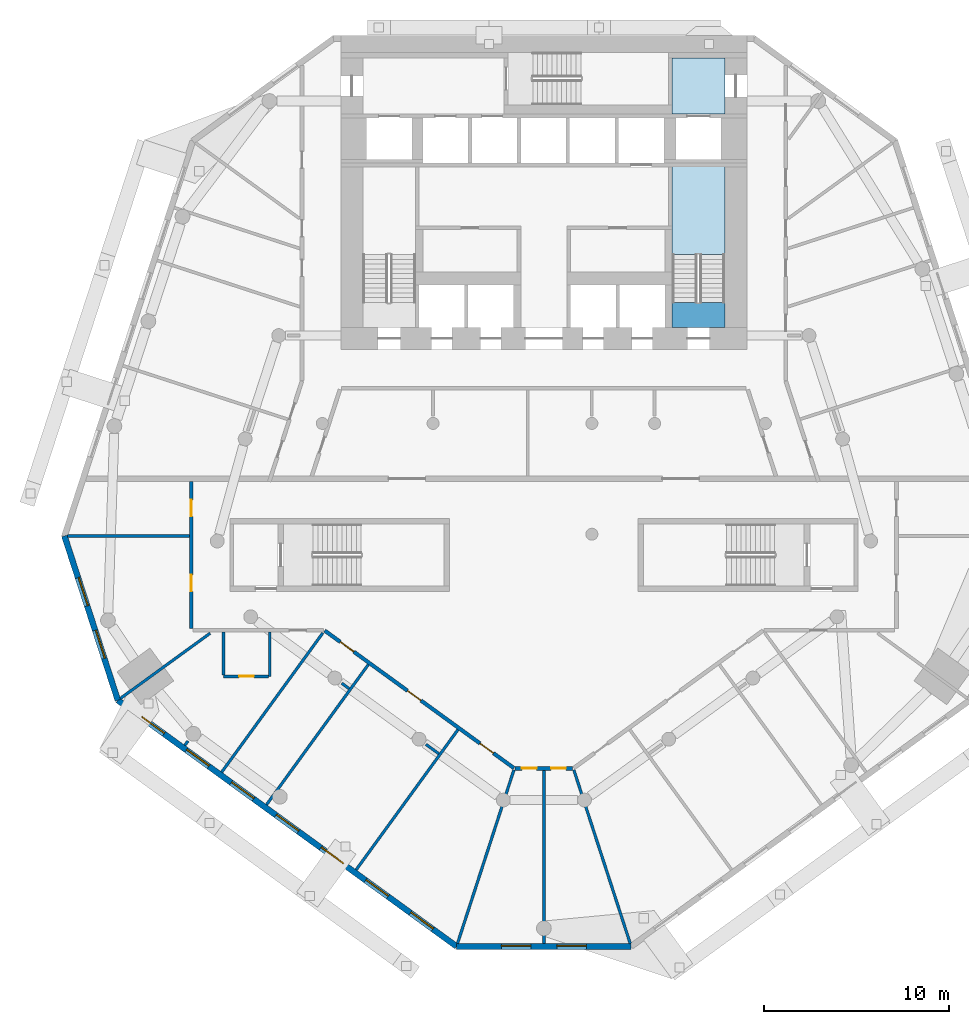
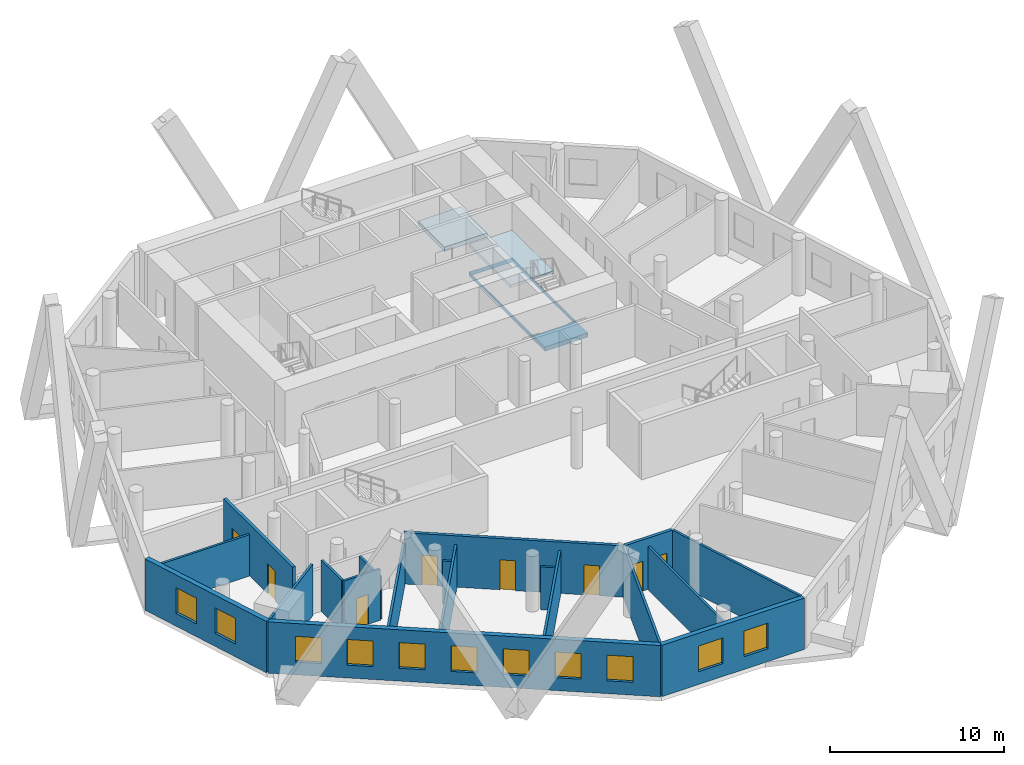
# One storey, part 3 of 10: 20 walls, 11 windows, 8 doors, 3 slabs, 19 openings, 1 element without a shape of its own.
"""IFC4 building model written with IfcOpenShell, lengths in metres."""

from ifc_helpers import new_model, si_unit, direction, frame, frame_2d, origin, place, context, subcontext, project, spatial, polyline, rectangle, outline, extrude, material, layer, layer_set, type_object, element, fill, aggregate, save


model = new_model("IFC4")

# Units and contexts
model_context = context("Model", 3, precision=1e-05, world=origin(), true_north=direction((0.0, 1.0)))
body_context = subcontext(model_context, "Body", "Model", "MODEL_VIEW")
ifc_project = project(units=[si_unit("LENGTHUNIT", "METRE"), si_unit("AREAUNIT", "SQUARE_METRE"), si_unit("VOLUMEUNIT", "CUBIC_METRE"), si_unit("PLANEANGLEUNIT", "RADIAN"), si_unit("MASSUNIT", "GRAM", prefix="KILO")], contexts=[model_context])

# Site, building, storey
site_placement = place(None, origin())
site = spatial("IfcSite", under=ifc_project, at=site_placement, CompositionType="ELEMENT")
building_placement = place(site_placement, origin())
building = spatial("IfcBuilding", under=site, at=building_placement, Name="White Candle Pilgrim Tower", CompositionType="ELEMENT")
storey_placement = place(building_placement, frame((0.0, 0.0, 66.300048828125)))
storey = spatial("IfcBuildingStorey", under=building, at=storey_placement, Name="L13", CompositionType="ELEMENT", Elevation=66.300048828125)

# Slabs
ifc_material_1 = material(Name="Concrete C40/50", Category="concrete")
ifc_layer_1 = layer(ifc_material_1, 0.300048828125)
ifc_layer_set_1 = layer_set([ifc_layer_1], Name="Core floor slab 300 mm Concrete C40/50")
slab_type_1 = type_object("IfcSlabType", Name="Core floor slab 300 mm Concrete C40/50", PredefinedType="FLOOR", material=ifc_layer_set_1)
slab_1_placement = place(storey_placement, frame((0.0, 0.0, -0.300048828125)))
element("IfcSlab", 1, at=slab_1_placement, inside=storey, type_object=slab_type_1, Name="CF-L13-06", PredefinedType="FLOOR", context=body_context, shape_type="SweptSolid", body=[
    extrude(outline(polyline([(79.800048828125, 86.800048828125), (79.800048828125, 83.75), (76.949951171875, 83.75), (76.949951171875, 84.25), (76.949951171875, 86.800048828125), (79.800048828125, 86.800048828125)])), origin(), (0.0, 0.0, 1.0), 0.300048828125),
])
slab_2_placement = place(storey_placement, frame((0.0, 0.0, -0.300048828125)))
element("IfcSlab", 2, at=slab_2_placement, inside=storey, type_object=slab_type_1, Name="CF-L13-07", PredefinedType="FLOOR", context=body_context, shape_type="SweptSolid", body=[
    extrude(outline(polyline([(79.800048828125, 72.199951171875), (76.949951171875, 72.199951171875), (76.949951171875, 74.5), (76.949951171875, 75.199951171875), (76.949951171875, 77.5), (76.949951171875, 77.699951171875), (76.949951171875, 80.89990234375), (79.800048828125, 80.89990234375), (79.800048828125, 72.199951171875)]), holes=[polyline([(76.951904296875, 73.552001953125), (79.798095703125, 73.552001953125), (79.798095703125, 80.89794921875), (76.951904296875, 80.89794921875), (76.951904296875, 73.552001953125)])]), origin(), (0.0, 0.0, 1.0), 0.300048828125),
])

# Stair, slab
stair_type = type_object("IfcStairType", Name="Exit stair 2 flight width 1350 mm", PredefinedType="HALF_TURN_STAIR", material=ifc_material_1)
stair_placement = place(storey_placement, origin())
stair = element("IfcStair", 3, at=stair_placement, inside=storey, type_object=stair_type, Name="L13 stair 2", PredefinedType="NOTDEFINED")
ifc_layer_2 = layer(ifc_material_1, 0.199951171875)
ifc_layer_set_2 = layer_set([ifc_layer_2], Name="Stair landing Concrete C40/50")
slab_type_2 = type_object("IfcSlabType", Name="Stair landing Concrete C40/50", PredefinedType="LANDING", material=ifc_layer_set_2)
slab_3_placement = place(storey_placement, frame((0.0, 0.0, 1.75)))
slab_3 = element("IfcSlab", 4, at=slab_3_placement, type_object=slab_type_2, Name="ST2 landing 1", PredefinedType="LANDING", context=body_context, shape_type="SweptSolid", body=[
    extrude(outline(polyline([(79.802001953125, 76.14794921875), (76.947998046875, 76.14794921875), (76.947998046875, 80.902099609375), (79.802001953125, 80.902099609375), (79.802001953125, 76.14794921875)])), origin(), (0.0, 0.0, 1.0), 0.199951171875),
])
aggregate(stair, [slab_3])

# Wall, openings, doors
ifc_material_2 = material(Name="Gypsum board on steel studs", Category="steel")
ifc_layer_3 = layer(ifc_material_2, 0.199951171875)
ifc_layer_set_3 = layer_set([ifc_layer_3], Name="Corridor wall 200 mm EI 45")
wall_type_1 = type_object("IfcWallType", Name="Corridor wall 200 mm EI 45", PredefinedType="PARTITIONING", material=ifc_layer_set_3)
wall_1_placement = place(storey_placement, frame((71.563720703125, 48.31640625, 0.0), z_axis=(0.0, 0.0, 1.0), x_axis=(-1.0, 0.0, 0.0)))
wall_1 = element("IfcWall", 5, at=wall_1_placement, inside=storey, type_object=wall_type_1, Name="WL-L13-P009", PredefinedType="PARTITIONING", context=body_context, shape_type="SweptSolid", body=[
    extrude(rectangle(XDim=3.12744140625, YDim=0.199951171875, at=frame_2d((1.563720703125, 0.0))), origin(), (0.0, 0.0, 1.0), 3.599853515625),
])
opening_1_placement = place(wall_1_placement, frame((1.9619140625, 0.0, 0.0)))
opening_1 = element("IfcOpeningElement", 6, at=opening_1_placement, cuts=wall_1, Name="Opening T04-107", PredefinedType="OPENING", context=body_context, shape_type="SweptSolid", body=[
    extrude(rectangle(XDim=0.800048828125, YDim=2.10009765625, at=frame_2d((0.39990234375, 1.050048828125))), frame((0.0, 0.10986328125, 0.0), z_axis=(0.0, -1.0, 0.0), x_axis=(1.0, 0.0, 0.0)), (0.0, 0.0, 1.0), 0.219970703125),
])
opening_2_placement = place(wall_1_placement, frame((0.365478515625, 0.0, 0.0)))
opening_2 = element("IfcOpeningElement", 7, at=opening_2_placement, cuts=wall_1, Name="Opening T04-108", PredefinedType="OPENING", context=body_context, shape_type="SweptSolid", body=[
    extrude(rectangle(XDim=0.800048828125, YDim=2.10009765625, at=frame_2d((0.39990234375, 1.050048828125))), frame((0.0, 0.10986328125, 0.0), z_axis=(0.0, -1.0, 0.0), x_axis=(1.0, 0.0, 0.0)), (0.0, 0.0, 1.0), 0.219970703125),
])
ifc_material_3 = material(Name="Steel door leaf", Category="steel")
door_type_1 = type_object("IfcDoorType", Name="Fire door 800 x 2100 EI 30", OperationType="NOTDEFINED", PredefinedType="DOOR", material=ifc_material_3)
door_1_placement = place(opening_1_placement, origin())
door_1 = element("IfcDoor", 8, at=door_1_placement, inside=storey, type_object=door_type_1, Name="Door T04-107", OperationType="SINGLE_SWING_LEFT", OverallHeight=2.10009765625, OverallWidth=0.800048828125, PredefinedType="DOOR", context=body_context, shape_type="SweptSolid", body=[
    extrude(rectangle(XDim=0.800048828125, YDim=2.10009765625, at=frame_2d((0.39990234375, 1.050048828125))), frame((0.0, 0.02490234375, 0.0), z_axis=(0.0, -1.0, 0.0), x_axis=(1.0, 0.0, 0.0)), (0.0, 0.0, 1.0), 0.050048828125),
])
fill(opening_1, door_1)
door_2_placement = place(opening_2_placement, origin())
door_2 = element("IfcDoor", 9, at=door_2_placement, inside=storey, type_object=door_type_1, Name="Door T04-108", OperationType="SINGLE_SWING_RIGHT", OverallHeight=2.10009765625, OverallWidth=0.800048828125, PredefinedType="DOOR", context=body_context, shape_type="SweptSolid", body=[
    extrude(rectangle(XDim=0.800048828125, YDim=2.10009765625, at=frame_2d((0.39990234375, 1.050048828125))), frame((0.0, 0.02490234375, 0.0), z_axis=(0.0, -1.0, 0.0), x_axis=(1.0, 0.0, 0.0)), (0.0, 0.0, 1.0), 0.050048828125),
])
fill(opening_2, door_2)

wall_2_placement = place(storey_placement, frame((68.37744140625, 48.33544921875, 0.0), z_axis=(0.0, 0.0, 1.0), x_axis=(-0.80902019439, 0.587780847825, 0.0)))
wall_2 = element("IfcWall", 10, at=wall_2_placement, inside=storey, type_object=wall_type_1, Name="WL-L13-P010", PredefinedType="PARTITIONING", context=body_context, shape_type="SweptSolid", body=[
    extrude(rectangle(XDim=12.667236328125, YDim=0.199951171875, at=frame_2d((6.33349609375, 0.0))), origin(), (0.0, 0.0, 1.0), 3.599853515625),
])
opening_3_placement = place(wall_2_placement, frame((10.723388671875, 0.0, 0.0)))
opening_3 = element("IfcOpeningElement", 11, at=opening_3_placement, cuts=wall_2, Name="Opening T04-104", PredefinedType="OPENING", context=body_context, shape_type="SweptSolid", body=[
    extrude(rectangle(XDim=0.89990234375, YDim=2.10009765625, at=frame_2d((0.449951171875, 1.050048828125))), frame((0.0, 0.10986328125, 0.0), z_axis=(0.0, -1.0, 0.0), x_axis=(1.0, 0.0, 0.0)), (0.0, 0.0, 1.0), 0.219970703125),
])
opening_4_placement = place(wall_2_placement, frame((6.223388671875, 0.0, 0.0)))
opening_4 = element("IfcOpeningElement", 12, at=opening_4_placement, cuts=wall_2, Name="Opening T04-105", PredefinedType="OPENING", context=body_context, shape_type="SweptSolid", body=[
    extrude(rectangle(XDim=0.89990234375, YDim=2.10009765625, at=frame_2d((0.449951171875, 1.050048828125))), frame((0.0, 0.10986328125, 0.0), z_axis=(0.0, -1.0, 0.0), x_axis=(1.0, 0.0, 0.0)), (0.0, 0.0, 1.0), 0.219970703125),
])
opening_5_placement = place(wall_2_placement, frame((1.37060546875, 0.0, 0.0)))
opening_5 = element("IfcOpeningElement", 13, at=opening_5_placement, cuts=wall_2, Name="Opening T04-106", PredefinedType="OPENING", context=body_context, shape_type="SweptSolid", body=[
    extrude(rectangle(XDim=0.89990234375, YDim=2.10009765625, at=frame_2d((0.449951171875, 1.050048828125))), frame((0.0, 0.10986328125, 0.0), z_axis=(0.0, -1.0, 0.0), x_axis=(1.0, 0.0, 0.0)), (0.0, 0.0, 1.0), 0.219970703125),
])
door_type_2 = type_object("IfcDoorType", Name="Fire door 900 x 2100 EI 30", OperationType="NOTDEFINED", PredefinedType="DOOR", material=ifc_material_3)
door_3_placement = place(opening_3_placement, origin())
door_3 = element("IfcDoor", 14, at=door_3_placement, inside=storey, type_object=door_type_2, Name="Door T04-104", OperationType="SINGLE_SWING_RIGHT", OverallHeight=2.10009765625, OverallWidth=0.89990234375, PredefinedType="DOOR", context=body_context, shape_type="SweptSolid", body=[
    extrude(rectangle(XDim=0.89990234375, YDim=2.10009765625, at=frame_2d((0.449951171875, 1.050048828125))), frame((0.0, 0.02490234375, 0.0), z_axis=(0.0, -1.0, 0.0), x_axis=(1.0, 0.0, 0.0)), (0.0, 0.0, 1.0), 0.050048828125),
])
fill(opening_3, door_3)
door_4_placement = place(opening_4_placement, origin())
door_4 = element("IfcDoor", 15, at=door_4_placement, inside=storey, type_object=door_type_2, Name="Door T04-105", OperationType="SINGLE_SWING_LEFT", OverallHeight=2.10009765625, OverallWidth=0.89990234375, PredefinedType="DOOR", context=body_context, shape_type="SweptSolid", body=[
    extrude(rectangle(XDim=0.89990234375, YDim=2.10009765625, at=frame_2d((0.449951171875, 1.050048828125))), frame((0.0, 0.02490234375, 0.0), z_axis=(0.0, -1.0, 0.0), x_axis=(1.0, 0.0, 0.0)), (0.0, 0.0, 1.0), 0.050048828125),
])
fill(opening_4, door_4)
door_5_placement = place(opening_5_placement, origin())
door_5 = element("IfcDoor", 16, at=door_5_placement, inside=storey, type_object=door_type_2, Name="Door T04-106", OperationType="SINGLE_SWING_RIGHT", OverallHeight=2.10009765625, OverallWidth=0.89990234375, PredefinedType="DOOR", context=body_context, shape_type="SweptSolid", body=[
    extrude(rectangle(XDim=0.89990234375, YDim=2.10009765625, at=frame_2d((0.449951171875, 1.050048828125))), frame((0.0, 0.02490234375, 0.0), z_axis=(0.0, -1.0, 0.0), x_axis=(1.0, 0.0, 0.0)), (0.0, 0.0, 1.0), 0.050048828125),
])
fill(opening_5, door_5)

wall_3_placement = place(storey_placement, frame((50.89990234375, 55.89990234375, 0.0), z_axis=(0.0, 0.0, 1.0), x_axis=(0.0, 1.0, 0.0)))
wall_3 = element("IfcWall", 17, at=wall_3_placement, inside=storey, type_object=wall_type_1, Name="WL-L13-P012", PredefinedType="PARTITIONING", context=body_context, shape_type="SweptSolid", body=[
    extrude(rectangle(XDim=7.9501953125, YDim=0.199951171875, at=frame_2d((3.97509765625, 0.0))), origin(), (0.0, 0.0, 1.0), 3.599853515625),
])
opening_6_placement = place(wall_3_placement, frame((2.001708984375, 0.0, 0.0)))
opening_6 = element("IfcOpeningElement", 18, at=opening_6_placement, cuts=wall_3, Name="Opening T04-101", PredefinedType="OPENING", context=body_context, shape_type="SweptSolid", body=[
    extrude(rectangle(XDim=0.89990234375, YDim=2.10009765625, at=frame_2d((0.449951171875, 1.050048828125))), frame((0.0, 0.10986328125, 0.0), z_axis=(0.0, -1.0, 0.0), x_axis=(1.0, 0.0, 0.0)), (0.0, 0.0, 1.0), 0.219970703125),
])
opening_7_placement = place(wall_3_placement, frame((6.064208984375, 0.0, 0.0)))
opening_7 = element("IfcOpeningElement", 19, at=opening_7_placement, cuts=wall_3, Name="Opening T04-116", PredefinedType="OPENING", context=body_context, shape_type="SweptSolid", body=[
    extrude(rectangle(XDim=0.89990234375, YDim=2.10009765625, at=frame_2d((0.449951171875, 1.050048828125))), frame((0.0, 0.10986328125, 0.0), z_axis=(0.0, -1.0, 0.0), x_axis=(1.0, 0.0, 0.0)), (0.0, 0.0, 1.0), 0.219970703125),
])
door_6_placement = place(opening_6_placement, origin())
door_6 = element("IfcDoor", 20, at=door_6_placement, inside=storey, type_object=door_type_2, Name="Door T04-101", OperationType="SINGLE_SWING_LEFT", OverallHeight=2.10009765625, OverallWidth=0.89990234375, PredefinedType="DOOR", context=body_context, shape_type="SweptSolid", body=[
    extrude(rectangle(XDim=0.89990234375, YDim=2.10009765625, at=frame_2d((0.449951171875, 1.050048828125))), frame((0.0, 0.02490234375, 0.0), z_axis=(0.0, -1.0, 0.0), x_axis=(1.0, 0.0, 0.0)), (0.0, 0.0, 1.0), 0.050048828125),
])
fill(opening_6, door_6)
door_7_placement = place(opening_7_placement, origin())
door_7 = element("IfcDoor", 21, at=door_7_placement, inside=storey, type_object=door_type_2, Name="Door T04-116", OperationType="SINGLE_SWING_RIGHT", OverallHeight=2.10009765625, OverallWidth=0.89990234375, PredefinedType="DOOR", context=body_context, shape_type="SweptSolid", body=[
    extrude(rectangle(XDim=0.89990234375, YDim=2.10009765625, at=frame_2d((0.449951171875, 1.050048828125))), frame((0.0, 0.02490234375, 0.0), z_axis=(0.0, -1.0, 0.0), x_axis=(1.0, 0.0, 0.0)), (0.0, 0.0, 1.0), 0.050048828125),
])
fill(opening_7, door_7)

# Wall, openings, windows
ifc_material_4 = material(Name="Precast concrete C40/50", Category="concrete")
ifc_layer_4 = layer(ifc_material_4, 0.320068359375)
ifc_layer_set_4 = layer_set([ifc_layer_4], Name="Facade wall EW1 precast concrete C40/50 pier wall with timber-lined reveals")
wall_type_2 = type_object("IfcWallType", Name="Facade wall EW1 precast concrete C40/50 pier wall with timber-lined reveals", PredefinedType="SOLIDWALL", material=ifc_layer_set_4)
wall_4_placement = place(storey_placement, frame((44.03466796875, 60.903564453125, 0.0), z_axis=(0.0, 0.0, 1.0), x_axis=(0.309024710052, -0.951054009285, 0.0)))
wall_4 = element("IfcWall", 22, at=wall_4_placement, inside=storey, type_object=wall_type_2, Name="Facade wall L13 W chamfer", PredefinedType="SOLIDWALL", context=body_context, shape_type="SweptSolid", body=[
    extrude(rectangle(XDim=9.3564453125, YDim=0.320068359375, at=frame_2d((4.67822265625, 0.0))), origin(), (0.0, 0.0, 1.0), 3.599853515625),
])
opening_8_placement = place(wall_4_placement, frame((2.37841796875, 0.0, 0.89990234375)))
opening_8 = element("IfcOpeningElement", 23, at=opening_8_placement, cuts=wall_4, Name="Opening W2", PredefinedType="OPENING", context=body_context, shape_type="SweptSolid", body=[
    extrude(rectangle(XDim=1.60009765625, YDim=1.800048828125, at=frame_2d((0.800048828125, 0.89990234375))), frame((0.0, 0.169921875, 0.0), z_axis=(0.0, -1.0, 0.0), x_axis=(1.0, 0.0, 0.0)), (0.0, 0.0, 1.0), 0.340087890625),
])
opening_9_placement = place(wall_4_placement, frame((5.37841796875, 0.0, 0.89990234375)))
opening_9 = element("IfcOpeningElement", 24, at=opening_9_placement, cuts=wall_4, Name="Opening W2", PredefinedType="OPENING", context=body_context, shape_type="SweptSolid", body=[
    extrude(rectangle(XDim=1.60009765625, YDim=1.800048828125, at=frame_2d((0.800048828125, 0.89990234375))), frame((0.0, 0.169921875, 0.0), z_axis=(0.0, -1.0, 0.0), x_axis=(1.0, 0.0, 0.0)), (0.0, 0.0, 1.0), 0.340087890625),
])
ifc_material_5 = material(Name="Timber frame with triple glazing", Category="wood")
window_type_1 = type_object("IfcWindowType", Name="Window W2 1600x1800 timber frame triple glazing", PartitioningType="SINGLE_PANEL", PredefinedType="WINDOW", material=ifc_material_5)
window_1_placement = place(opening_8_placement, origin())
window_1 = element("IfcWindow", 25, at=window_1_placement, inside=storey, type_object=window_type_1, Name="Window W2 L13 W chamfer 1", OverallHeight=1.800048828125, OverallWidth=1.60009765625, PartitioningType="SINGLE_PANEL", PredefinedType="WINDOW", context=body_context, shape_type="SweptSolid", body=[
    extrude(rectangle(XDim=1.60009765625, YDim=1.800048828125, at=frame_2d((0.800048828125, 0.89990234375))), frame((0.0, 0.070068359375, 0.0), z_axis=(0.0, -1.0, 0.0), x_axis=(1.0, 0.0, 0.0)), (0.0, 0.0, 1.0), 0.06005859375),
])
fill(opening_8, window_1)
window_2_placement = place(opening_9_placement, origin())
window_2 = element("IfcWindow", 26, at=window_2_placement, inside=storey, type_object=window_type_1, Name="Window W2 L13 W chamfer 2", OverallHeight=1.800048828125, OverallWidth=1.60009765625, PartitioningType="SINGLE_PANEL", PredefinedType="WINDOW", context=body_context, shape_type="SweptSolid", body=[
    extrude(rectangle(XDim=1.60009765625, YDim=1.800048828125, at=frame_2d((0.800048828125, 0.89990234375))), frame((0.0, 0.070068359375, 0.0), z_axis=(0.0, -1.0, 0.0), x_axis=(1.0, 0.0, 0.0)), (0.0, 0.0, 1.0), 0.06005859375),
])
fill(opening_9, window_2)

wall_5_placement = place(storey_placement, frame((46.926025390625, 52.005126953125, 0.0), z_axis=(0.0, 0.0, 1.0), x_axis=(0.809014870626, -0.58778817537, 0.0)))
wall_5 = element("IfcWall", 27, at=wall_5_placement, inside=storey, type_object=wall_type_2, Name="Facade wall L13 SW", PredefinedType="SOLIDWALL", context=body_context, shape_type="SweptSolid", body=[
    extrude(rectangle(XDim=22.67626953125, YDim=0.320068359375, at=frame_2d((11.338134765625, 0.0))), origin(), (0.0, 0.0, 1.0), 3.599853515625),
])
opening_10_placement = place(wall_5_placement, frame((1.588134765625, 0.0, 0.89990234375)))
opening_10 = element("IfcOpeningElement", 28, at=opening_10_placement, cuts=wall_5, Name="Opening W1", PredefinedType="OPENING", context=body_context, shape_type="SweptSolid", body=[
    extrude(rectangle(XDim=1.5, YDim=1.800048828125, at=frame_2d((0.75, 0.89990234375))), frame((0.0, 0.169921875, 0.0), z_axis=(0.0, -1.0, 0.0), x_axis=(1.0, 0.0, 0.0)), (0.0, 0.0, 1.0), 0.340087890625),
])
opening_11_placement = place(wall_5_placement, frame((4.588134765625, 0.0, 0.89990234375)))
opening_11 = element("IfcOpeningElement", 29, at=opening_11_placement, cuts=wall_5, Name="Opening W1", PredefinedType="OPENING", context=body_context, shape_type="SweptSolid", body=[
    extrude(rectangle(XDim=1.5, YDim=1.800048828125, at=frame_2d((0.75, 0.89990234375))), frame((0.0, 0.169921875, 0.0), z_axis=(0.0, -1.0, 0.0), x_axis=(1.0, 0.0, 0.0)), (0.0, 0.0, 1.0), 0.340087890625),
])
opening_12_placement = place(wall_5_placement, frame((7.588134765625, 0.0, 0.89990234375)))
opening_12 = element("IfcOpeningElement", 30, at=opening_12_placement, cuts=wall_5, Name="Opening W1", PredefinedType="OPENING", context=body_context, shape_type="SweptSolid", body=[
    extrude(rectangle(XDim=1.5, YDim=1.800048828125, at=frame_2d((0.75, 0.89990234375))), frame((0.0, 0.169921875, 0.0), z_axis=(0.0, -1.0, 0.0), x_axis=(1.0, 0.0, 0.0)), (0.0, 0.0, 1.0), 0.340087890625),
])
opening_13_placement = place(wall_5_placement, frame((10.588134765625, 0.0, 0.89990234375)))
opening_13 = element("IfcOpeningElement", 31, at=opening_13_placement, cuts=wall_5, Name="Opening W1", PredefinedType="OPENING", context=body_context, shape_type="SweptSolid", body=[
    extrude(rectangle(XDim=1.5, YDim=1.800048828125, at=frame_2d((0.75, 0.89990234375))), frame((0.0, 0.169921875, 0.0), z_axis=(0.0, -1.0, 0.0), x_axis=(1.0, 0.0, 0.0)), (0.0, 0.0, 1.0), 0.340087890625),
])
opening_14_placement = place(wall_5_placement, frame((13.588134765625, 0.0, 0.89990234375)))
opening_14 = element("IfcOpeningElement", 32, at=opening_14_placement, cuts=wall_5, Name="Opening W1", PredefinedType="OPENING", context=body_context, shape_type="SweptSolid", body=[
    extrude(rectangle(XDim=1.5, YDim=1.800048828125, at=frame_2d((0.75, 0.89990234375))), frame((0.0, 0.169921875, 0.0), z_axis=(0.0, -1.0, 0.0), x_axis=(1.0, 0.0, 0.0)), (0.0, 0.0, 1.0), 0.340087890625),
])
opening_15_placement = place(wall_5_placement, frame((16.588134765625, 0.0, 0.89990234375)))
opening_15 = element("IfcOpeningElement", 33, at=opening_15_placement, cuts=wall_5, Name="Opening W1", PredefinedType="OPENING", context=body_context, shape_type="SweptSolid", body=[
    extrude(rectangle(XDim=1.5, YDim=1.800048828125, at=frame_2d((0.75, 0.89990234375))), frame((0.0, 0.169921875, 0.0), z_axis=(0.0, -1.0, 0.0), x_axis=(1.0, 0.0, 0.0)), (0.0, 0.0, 1.0), 0.340087890625),
])
opening_16_placement = place(wall_5_placement, frame((19.588134765625, 0.0, 0.89990234375)))
opening_16 = element("IfcOpeningElement", 34, at=opening_16_placement, cuts=wall_5, Name="Opening W1", PredefinedType="OPENING", context=body_context, shape_type="SweptSolid", body=[
    extrude(rectangle(XDim=1.5, YDim=1.800048828125, at=frame_2d((0.75, 0.89990234375))), frame((0.0, 0.169921875, 0.0), z_axis=(0.0, -1.0, 0.0), x_axis=(1.0, 0.0, 0.0)), (0.0, 0.0, 1.0), 0.340087890625),
])
window_type_2 = type_object("IfcWindowType", Name="Window W1 1500x1800 timber frame triple glazing", PartitioningType="SINGLE_PANEL", PredefinedType="WINDOW", material=ifc_material_5)
window_3_placement = place(opening_10_placement, origin())
window_3 = element("IfcWindow", 35, at=window_3_placement, inside=storey, type_object=window_type_2, Name="Window W1 L13 SW 1", OverallHeight=1.800048828125, OverallWidth=1.5, PartitioningType="SINGLE_PANEL", PredefinedType="WINDOW", context=body_context, shape_type="SweptSolid", body=[
    extrude(rectangle(XDim=1.5, YDim=1.800048828125, at=frame_2d((0.75, 0.89990234375))), frame((0.0, 0.070068359375, 0.0), z_axis=(0.0, -1.0, 0.0), x_axis=(1.0, 0.0, 0.0)), (0.0, 0.0, 1.0), 0.06005859375),
])
fill(opening_10, window_3)
window_4_placement = place(opening_11_placement, origin())
window_4 = element("IfcWindow", 36, at=window_4_placement, inside=storey, type_object=window_type_2, Name="Window W1 L13 SW 2", OverallHeight=1.800048828125, OverallWidth=1.5, PartitioningType="SINGLE_PANEL", PredefinedType="WINDOW", context=body_context, shape_type="SweptSolid", body=[
    extrude(rectangle(XDim=1.5, YDim=1.800048828125, at=frame_2d((0.75, 0.89990234375))), frame((0.0, 0.070068359375, 0.0), z_axis=(0.0, -1.0, 0.0), x_axis=(1.0, 0.0, 0.0)), (0.0, 0.0, 1.0), 0.06005859375),
])
fill(opening_11, window_4)
window_5_placement = place(opening_12_placement, origin())
window_5 = element("IfcWindow", 37, at=window_5_placement, inside=storey, type_object=window_type_2, Name="Window W1 L13 SW 3", OverallHeight=1.800048828125, OverallWidth=1.5, PartitioningType="SINGLE_PANEL", PredefinedType="WINDOW", context=body_context, shape_type="SweptSolid", body=[
    extrude(rectangle(XDim=1.5, YDim=1.800048828125, at=frame_2d((0.75, 0.89990234375))), frame((0.0, 0.070068359375, 0.0), z_axis=(0.0, -1.0, 0.0), x_axis=(1.0, 0.0, 0.0)), (0.0, 0.0, 1.0), 0.06005859375),
])
fill(opening_12, window_5)
window_6_placement = place(opening_13_placement, origin())
window_6 = element("IfcWindow", 38, at=window_6_placement, inside=storey, type_object=window_type_2, Name="Window W1 L13 SW 4", OverallHeight=1.800048828125, OverallWidth=1.5, PartitioningType="SINGLE_PANEL", PredefinedType="WINDOW", context=body_context, shape_type="SweptSolid", body=[
    extrude(rectangle(XDim=1.5, YDim=1.800048828125, at=frame_2d((0.75, 0.89990234375))), frame((0.0, 0.070068359375, 0.0), z_axis=(0.0, -1.0, 0.0), x_axis=(1.0, 0.0, 0.0)), (0.0, 0.0, 1.0), 0.06005859375),
])
fill(opening_13, window_6)
window_7_placement = place(opening_14_placement, origin())
window_7 = element("IfcWindow", 39, at=window_7_placement, inside=storey, type_object=window_type_2, Name="Window W1 L13 SW 5", OverallHeight=1.800048828125, OverallWidth=1.5, PartitioningType="SINGLE_PANEL", PredefinedType="WINDOW", context=body_context, shape_type="SweptSolid", body=[
    extrude(rectangle(XDim=1.5, YDim=1.800048828125, at=frame_2d((0.75, 0.89990234375))), frame((0.0, 0.070068359375, 0.0), z_axis=(0.0, -1.0, 0.0), x_axis=(1.0, 0.0, 0.0)), (0.0, 0.0, 1.0), 0.06005859375),
])
fill(opening_14, window_7)
window_8_placement = place(opening_15_placement, origin())
window_8 = element("IfcWindow", 40, at=window_8_placement, inside=storey, type_object=window_type_2, Name="Window W1 L13 SW 6", OverallHeight=1.800048828125, OverallWidth=1.5, PartitioningType="SINGLE_PANEL", PredefinedType="WINDOW", context=body_context, shape_type="SweptSolid", body=[
    extrude(rectangle(XDim=1.5, YDim=1.800048828125, at=frame_2d((0.75, 0.89990234375))), frame((0.0, 0.070068359375, 0.0), z_axis=(0.0, -1.0, 0.0), x_axis=(1.0, 0.0, 0.0)), (0.0, 0.0, 1.0), 0.06005859375),
])
fill(opening_15, window_8)
window_9_placement = place(opening_16_placement, origin())
window_9 = element("IfcWindow", 41, at=window_9_placement, inside=storey, type_object=window_type_2, Name="Window W1 L13 SW 7", OverallHeight=1.800048828125, OverallWidth=1.5, PartitioningType="SINGLE_PANEL", PredefinedType="WINDOW", context=body_context, shape_type="SweptSolid", body=[
    extrude(rectangle(XDim=1.5, YDim=1.800048828125, at=frame_2d((0.75, 0.89990234375))), frame((0.0, 0.070068359375, 0.0), z_axis=(0.0, -1.0, 0.0), x_axis=(1.0, 0.0, 0.0)), (0.0, 0.0, 1.0), 0.06005859375),
])
fill(opening_16, window_9)

wall_6_placement = place(storey_placement, frame((65.271484375, 38.67626953125, 0.0), z_axis=(0.0, 0.0, 1.0), x_axis=(1.0, 0.0, 0.0)))
wall_6 = element("IfcWall", 42, at=wall_6_placement, inside=storey, type_object=wall_type_2, Name="Facade wall L13 S chamfer", PredefinedType="SOLIDWALL", context=body_context, shape_type="SweptSolid", body=[
    extrude(rectangle(XDim=9.45703125, YDim=0.320068359375, at=frame_2d((4.728515625, 0.0))), origin(), (0.0, 0.0, 1.0), 3.599853515625),
])
opening_17_placement = place(wall_6_placement, frame((2.4287109375, 0.0, 0.89990234375)))
opening_17 = element("IfcOpeningElement", 43, at=opening_17_placement, cuts=wall_6, Name="Opening W2", PredefinedType="OPENING", context=body_context, shape_type="SweptSolid", body=[
    extrude(rectangle(XDim=1.60009765625, YDim=1.800048828125, at=frame_2d((0.800048828125, 0.89990234375))), frame((0.0, 0.169921875, 0.0), z_axis=(0.0, -1.0, 0.0), x_axis=(1.0, 0.0, 0.0)), (0.0, 0.0, 1.0), 0.340087890625),
])
opening_18_placement = place(wall_6_placement, frame((5.4287109375, 0.0, 0.89990234375)))
opening_18 = element("IfcOpeningElement", 44, at=opening_18_placement, cuts=wall_6, Name="Opening W2", PredefinedType="OPENING", context=body_context, shape_type="SweptSolid", body=[
    extrude(rectangle(XDim=1.60009765625, YDim=1.800048828125, at=frame_2d((0.800048828125, 0.89990234375))), frame((0.0, 0.169921875, 0.0), z_axis=(0.0, -1.0, 0.0), x_axis=(1.0, 0.0, 0.0)), (0.0, 0.0, 1.0), 0.340087890625),
])
window_10_placement = place(opening_17_placement, origin())
window_10 = element("IfcWindow", 45, at=window_10_placement, inside=storey, type_object=window_type_1, Name="Window W2 L13 S chamfer 1", OverallHeight=1.800048828125, OverallWidth=1.60009765625, PartitioningType="SINGLE_PANEL", PredefinedType="WINDOW", context=body_context, shape_type="SweptSolid", body=[
    extrude(rectangle(XDim=1.60009765625, YDim=1.800048828125, at=frame_2d((0.800048828125, 0.89990234375))), frame((0.0, 0.070068359375, 0.0), z_axis=(0.0, -1.0, 0.0), x_axis=(1.0, 0.0, 0.0)), (0.0, 0.0, 1.0), 0.06005859375),
])
fill(opening_17, window_10)
window_11_placement = place(opening_18_placement, origin())
window_11 = element("IfcWindow", 46, at=window_11_placement, inside=storey, type_object=window_type_1, Name="Window W2 L13 S chamfer 2", OverallHeight=1.800048828125, OverallWidth=1.60009765625, PartitioningType="SINGLE_PANEL", PredefinedType="WINDOW", context=body_context, shape_type="SweptSolid", body=[
    extrude(rectangle(XDim=1.60009765625, YDim=1.800048828125, at=frame_2d((0.800048828125, 0.89990234375))), frame((0.0, 0.070068359375, 0.0), z_axis=(0.0, -1.0, 0.0), x_axis=(1.0, 0.0, 0.0)), (0.0, 0.0, 1.0), 0.06005859375),
])
fill(opening_18, window_11)

# Walls
ifc_layer_5 = layer(ifc_material_2, 0.14990234375)
ifc_layer_set_5 = layer_set([ifc_layer_5], Name="Partition 150 mm EI 60")
wall_type_3 = type_object("IfcWallType", Name="Partition 150 mm EI 60", PredefinedType="PARTITIONING", material=ifc_layer_set_5)
wall_7_placement = place(storey_placement, frame((44.202880859375, 60.903564453125, 0.0), z_axis=(0.0, 0.0, 1.0), x_axis=(1.0, 0.0, 0.0)))
element("IfcWall", 47, at=wall_7_placement, inside=storey, type_object=wall_type_3, Name="WL-L13-P017", PredefinedType="PARTITIONING", context=body_context, shape_type="SweptSolid", body=[
    extrude(rectangle(XDim=6.59716796875, YDim=0.14990234375, at=frame_2d((3.298583984375, 0.0))), origin(), (0.0, 0.0, 1.0), 2.89990234375),
])
wall_8_placement = place(storey_placement, frame((47.06201171875, 52.10400390625, 0.0), z_axis=(0.0, 0.0, 1.0), x_axis=(0.809025596287, 0.587773412594, 0.0)))
element("IfcWall", 48, at=wall_8_placement, inside=storey, type_object=wall_type_3, Name="WL-L13-P018", PredefinedType="PARTITIONING", context=body_context, shape_type="SweptSolid", body=[
    extrude(rectangle(XDim=6.014892578125, YDim=0.14990234375, at=frame_2d((3.00732421875, 0.0))), origin(), (0.0, 0.0, 1.0), 3.599853515625),
])
for number, where, z_axis, x_axis, name in (
    (49, (65.323486328125, 38.836181640625, 0.0), (0.0, 0.0, 1.0), (0.309015131176, 0.951057121683, 0.0), "WL-L13-P019"),
    (50, (74.676513671875, 38.836181640625, 0.0), (0.0, 0.0, 1.0), (-0.309015131176, 0.951057121683, 0.0), "WL-L13-P020"),
):
    element("IfcWall", number, at=place(storey_placement, frame(where, z_axis=z_axis, x_axis=x_axis)), inside=storey, type_object=wall_type_3, Name=name, PredefinedType="PARTITIONING", context=body_context, shape_type="SweptSolid", body=[
        extrude(rectangle(XDim=9.8828125, YDim=0.14990234375, at=frame_2d((4.94140625, 0.0))), origin(), (0.0, 0.0, 1.0), 3.599853515625),
    ])
wall_9_placement = place(storey_placement, frame((52.55224609375, 48.114990234375, 0.0), z_axis=(0.0, 0.0, 1.0), x_axis=(0.587777613272, 0.809022544393, 0.0)))
element("IfcWall", 51, at=wall_9_placement, inside=storey, type_object=wall_type_3, Name="WL-L13-P027", PredefinedType="PARTITIONING", context=body_context, shape_type="SweptSolid", body=[
    extrude(rectangle(XDim=9.321044921875, YDim=0.14990234375, at=frame_2d((4.66064453125, 0.0))), origin(), (0.0, 0.0, 1.0), 3.0),
])
for number, where, z_axis, x_axis, name in (
    (52, (54.979248046875, 46.351806640625, 0.0), (0.0, 0.0, 1.0), (0.587795561305, 0.809009504339, 0.0), "WL-L13-P028"),
    (53, (59.833251953125, 42.8251953125, 0.0), (0.0, 0.0, 1.0), (0.587795561305, 0.809009504339, 0.0), "WL-L13-P029"),
):
    element("IfcWall", number, at=place(storey_placement, frame(where, z_axis=z_axis, x_axis=x_axis)), inside=storey, type_object=wall_type_3, Name=name, PredefinedType="PARTITIONING", context=body_context, shape_type="SweptSolid", body=[
        extrude(rectangle(XDim=9.3798828125, YDim=0.14990234375, at=frame_2d((4.68994140625, 0.0))), origin(), (0.0, 0.0, 1.0), 3.0),
    ])
wall_10_placement = place(storey_placement, frame((55.1494140625, 55.699951171875, 0.0), z_axis=(0.0, 0.0, 1.0), x_axis=(0.0, -1.0, 0.0)))
element("IfcWall", 54, at=wall_10_placement, inside=storey, type_object=wall_type_3, Name="WL-L13-P030", PredefinedType="PARTITIONING", context=body_context, shape_type="SweptSolid", body=[
    extrude(rectangle(XDim=2.39990234375, YDim=0.14990234375, at=frame_2d((1.199951171875, 0.0))), origin(), (0.0, 0.0, 1.0), 3.0),
])

# Wall, opening, door
wall_11_placement = place(storey_placement, frame((52.6494140625, 53.300048828125, 0.0), z_axis=(0.0, 0.0, 1.0), x_axis=(1.0, 0.0, 0.0)))
wall_11 = element("IfcWall", 55, at=wall_11_placement, inside=storey, type_object=wall_type_3, Name="WL-L13-P031", PredefinedType="PARTITIONING", context=body_context, shape_type="SweptSolid", body=[
    extrude(rectangle(XDim=2.425048828125, YDim=0.14990234375, at=frame_2d((1.21240234375, 0.0))), origin(), (0.0, 0.0, 1.0), 3.599853515625),
])
opening_19_placement = place(wall_11_placement, frame((0.85009765625, 0.0, 0.0)))
opening_19 = element("IfcOpeningElement", 56, at=opening_19_placement, cuts=wall_11, Name="Opening T04-102", PredefinedType="OPENING", context=body_context, shape_type="SweptSolid", body=[
    extrude(rectangle(XDim=0.800048828125, YDim=2.10009765625, at=frame_2d((0.39990234375, 1.050048828125))), frame((0.0, 0.0849609375, 0.0), z_axis=(0.0, -1.0, 0.0), x_axis=(1.0, 0.0, 0.0)), (0.0, 0.0, 1.0), 0.169921875),
])
door_8_placement = place(opening_19_placement, frame((0.800048828125, 0.0, 0.0), z_axis=(0.0, 0.0, 1.0), x_axis=(-1.0, 0.0, 0.0)))
door_8 = element("IfcDoor", 57, at=door_8_placement, inside=storey, type_object=door_type_1, Name="Door T04-102", OperationType="SINGLE_SWING_LEFT", OverallHeight=2.10009765625, OverallWidth=0.800048828125, PredefinedType="DOOR", context=body_context, shape_type="SweptSolid", body=[
    extrude(rectangle(XDim=0.800048828125, YDim=2.10009765625, at=frame_2d((0.39990234375, 1.050048828125))), frame((0.0, 0.02490234375, 0.0), z_axis=(0.0, -1.0, 0.0), x_axis=(1.0, 0.0, 0.0)), (0.0, 0.0, 1.0), 0.050048828125),
])
fill(opening_19, door_8)

# Walls
wall_12_placement = place(storey_placement, frame((52.6494140625, 55.699951171875, 0.0), z_axis=(0.0, 0.0, 1.0), x_axis=(0.0, -1.0, 0.0)))
element("IfcWall", 58, at=wall_12_placement, inside=storey, type_object=wall_type_3, Name="WL-L13-P032", PredefinedType="PARTITIONING", context=body_context, shape_type="SweptSolid", body=[
    extrude(rectangle(XDim=2.324951171875, YDim=0.14990234375, at=frame_2d((1.16259765625, 0.0))), origin(), (0.0, 0.0, 1.0), 3.599853515625),
])
wall_13_placement = place(storey_placement, frame((70.0, 38.836181640625, 0.0), z_axis=(0.0, 0.0, 1.0), x_axis=(0.0, 1.0, 0.0)))
element("IfcWall", 59, at=wall_13_placement, inside=storey, type_object=wall_type_3, Name="WL-L13-P033", PredefinedType="PARTITIONING", context=body_context, shape_type="SweptSolid", body=[
    extrude(rectangle(XDim=9.380126953125, YDim=0.14990234375, at=frame_2d((4.68994140625, 0.0))), origin(), (0.0, 0.0, 1.0), 3.0),
])
wall_14_placement = place(storey_placement, frame((50.72412109375, 49.799560546875, 0.0), z_axis=(0.0, 0.0, 1.0), x_axis=(-0.587869457187, -0.808955809242, 0.0)))
element("IfcWall", 60, at=wall_14_placement, inside=storey, type_object=wall_type_3, Name="WL-L13-P042", PredefinedType="PARTITIONING", context=body_context, shape_type="SweptSolid", body=[
    extrude(rectangle(XDim=0.288330078125, YDim=0.14990234375, at=frame_2d((0.14404296875, 0.0))), origin(), (0.0, 0.0, 1.0), 3.599853515625),
])
wall_15_placement = place(storey_placement, frame((59.050537109375, 52.92919921875, 0.0), z_axis=(0.0, 0.0, 1.0), x_axis=(0.809096851656, -0.587675322471, 0.0)))
element("IfcWall", 61, at=wall_15_placement, inside=storey, type_object=wall_type_3, Name="WL-L13-P043", PredefinedType="PARTITIONING", context=body_context, shape_type="SweptSolid", body=[
    extrude(rectangle(XDim=0.497314453125, YDim=0.14990234375, at=frame_2d((0.24853515625, 0.0))), origin(), (0.0, 0.0, 1.0), 3.0),
])
wall_16_placement = place(storey_placement, frame((63.610595703125, 49.619140625, 0.0), z_axis=(0.0, 0.0, 1.0), x_axis=(0.809041900019, -0.587750971087, 0.0)))
element("IfcWall", 62, at=wall_16_placement, inside=storey, type_object=wall_type_3, Name="WL-L13-P044", PredefinedType="PARTITIONING", context=body_context, shape_type="SweptSolid", body=[
    extrude(rectangle(XDim=0.86279296875, YDim=0.14990234375, at=frame_2d((0.431396484375, 0.0))), origin(), (0.0, 0.0, 1.0), 3.0),
])

save(model, "model.ifc")
